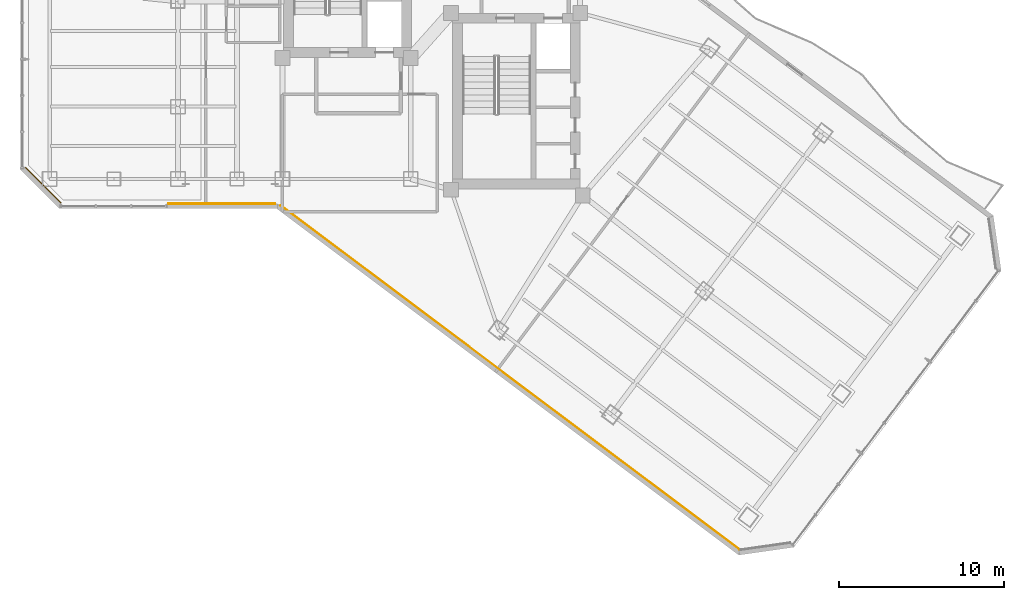
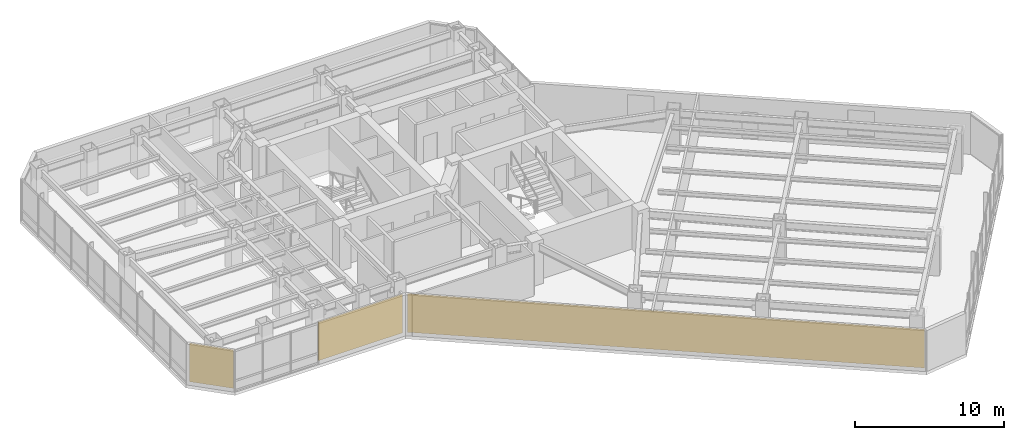
# One storey, part 25 of 29: 3 coverings.
"""IFC4 building model written with IfcOpenShell, lengths in metres."""

import ifcopenshell
import ifcopenshell.guid

model = None  # the IFC model being written
_history = None  # IfcOwnerHistory: only IFC2X3 demands one
_inside = {}  # id of a spatial element -> (the spatial element, [elements in it])
_under = {}  # id of a project, library or spatial element -> (it, [spatial elements below it])
_declared = {}  # id of a project -> (the project, [libraries it declares])
_typed = {}  # id of a type object -> (the type object, [elements of that type])
_made_of = {}  # id of a material, layer set ... -> (it, [elements and type objects made of it])


def new_model(schema):
    """Start an empty IFC model of exactly this schema.

    Asked for "IFC4X3", IfcOpenShell would pick the latest addendum, in which some entities
    have other attributes; the version numbers below select the first issue.
    IFC2X3 requires an IfcOwnerHistory on every rooted entity: one is made here for all.
    """
    global model, _history
    if schema == "IFC4X3":
        model = ifcopenshell.file(schema_version=(4, 3, 0, 0))
    else:
        model = ifcopenshell.file(schema=schema)
    _inside.clear()
    _under.clear()
    _declared.clear()
    _typed.clear()
    _made_of.clear()
    _history = None
    if model.schema == "IFC2X3":
        org = make("IfcOrganization", Name="unknown")
        user = make(
            "IfcPersonAndOrganization",
            ThePerson=make("IfcPerson", FamilyName="unknown"),
            TheOrganization=org,
        )
        app = make(
            "IfcApplication",
            ApplicationDeveloper=org,
            Version="unknown",
            ApplicationFullName="unknown",
            ApplicationIdentifier="unknown",
        )
        _history = make(
            "IfcOwnerHistory",
            OwningUser=user,
            OwningApplication=app,
            ChangeAction="ADDED",
            CreationDate=0,
        )
    return model


def make(cls, **values):
    """One entity of the class cls with the attributes given. An attribute that is None is left unset."""
    return model.create_entity(
        cls, **{name: value for name, value in values.items() if value is not None}
    )


def rooted(cls, **values):
    """An entity with a GlobalId (a new one), such as an element, a storey or a relation."""
    return make(cls, GlobalId=ifcopenshell.guid.new(), OwnerHistory=_history, **values)


def si_unit(unit_type, name, prefix=None):
    """IfcSIUnit, for example si_unit("LENGTHUNIT", "METRE", prefix="MILLI")."""
    return make("IfcSIUnit", UnitType=unit_type, Prefix=prefix, Name=name)


def assignment(units):
    """IfcUnitAssignment: the units of a project."""
    return None if units is None else make("IfcUnitAssignment", Units=units)


def point(xyz):
    """IfcCartesianPoint."""
    return None if xyz is None else make("IfcCartesianPoint", Coordinates=xyz)


def direction(xyz):
    """IfcDirection."""
    return None if xyz is None else make("IfcDirection", DirectionRatios=xyz)


def frame(location, z_axis=None, x_axis=None):
    """IfcAxis2Placement3D, a coordinate frame: its origin and axes. An axis left out is left unset."""
    return make(
        "IfcAxis2Placement3D",
        Location=point(location),
        Axis=direction(z_axis),
        RefDirection=direction(x_axis),
    )


def frame_2d(location, x_axis=None):
    """IfcAxis2Placement2D, a coordinate frame in the plane: its origin and x axis."""
    return make(
        "IfcAxis2Placement2D", Location=point(location), RefDirection=direction(x_axis)
    )


def origin():
    """The frame at (0, 0, 0) with its axes left unset."""
    return frame((0.0, 0.0, 0.0))


def origin_2d():
    """The frame at (0, 0) in the plane with its x axis left unset."""
    return frame_2d((0.0, 0.0))


def place(relative_to, where):
    """IfcLocalPlacement: puts the frame where relative to a parent placement (None: the world)."""
    return make(
        "IfcLocalPlacement", PlacementRelTo=relative_to, RelativePlacement=where
    )


def context(
    kind, dimensions, precision=None, world=None, true_north=None, identifier=None
):
    """IfcGeometricRepresentationContext, for example the 3D "Model" context."""
    return make(
        "IfcGeometricRepresentationContext",
        ContextIdentifier=identifier,
        ContextType=kind,
        CoordinateSpaceDimension=dimensions,
        Precision=precision,
        WorldCoordinateSystem=world,
        TrueNorth=true_north,
    )


def subcontext(parent, identifier, kind, view, scale=None):
    """IfcGeometricRepresentationSubContext, for example "Body" below "Model"."""
    return make(
        "IfcGeometricRepresentationSubContext",
        ContextIdentifier=identifier,
        ContextType=kind,
        ParentContext=parent,
        TargetScale=scale,
        TargetView=view,
    )


def project(units=None, contexts=None):
    """IfcProject with its units and contexts."""
    return rooted(
        "IfcProject",
        Name="project",
        RepresentationContexts=contexts,
        UnitsInContext=assignment(units),
    )


def spatial(cls, under=None, at=None, **own):
    """A site, building, storey or space (cls), placed at a placement, below another one or the project."""
    s = rooted(cls, ObjectPlacement=at, **own)
    if under is not None:
        _under.setdefault(under.id(), (under, []))[1].append(s)
    return s


def profile(cls, at=None, kind="AREA", **sizes):
    """A parametric profile (cls). Its sizes go by their IFC names, for example OverallWidth=200.0."""
    return make(cls, ProfileType=kind, Position=at, **sizes)


def rectangle(**sizes):
    """IfcRectangleProfileDef."""
    return profile("IfcRectangleProfileDef", **sizes)


def extrude(swept, where, along, depth):
    """IfcExtrudedAreaSolid: the profile swept, set in the frame where, extruded along a direction by depth."""
    return make(
        "IfcExtrudedAreaSolid",
        SweptArea=swept,
        Position=where,
        ExtrudedDirection=direction(along),
        Depth=depth,
    )


def shape(context_of_items, identifier, shape_type, items):
    """IfcShapeRepresentation: the items that make up one representation, for example the "Body"."""
    return make(
        "IfcShapeRepresentation",
        ContextOfItems=context_of_items,
        RepresentationIdentifier=identifier,
        RepresentationType=shape_type,
        Items=items,
    )


def material(Name=None, Category=None):
    """IfcMaterial."""
    return make("IfcMaterial", Name=Name, Category=Category)


def layer(
    of_material, thickness, ventilated=None, Name=None, Category=None, Priority=None
):
    """IfcMaterialLayer: one layer of a wall or slab, of a material (None: an air gap)."""
    return make(
        "IfcMaterialLayer",
        Material=of_material,
        LayerThickness=thickness,
        IsVentilated=ventilated,
        Name=Name,
        Category=Category,
        Priority=Priority,
    )


def layer_set(layers, Name=None):
    """IfcMaterialLayerSet."""
    return make("IfcMaterialLayerSet", MaterialLayers=layers, LayerSetName=Name)


def made_of(thing, what):
    """Note that an element or type object is made of a material, layer set ...; save() writes the relation."""
    if what is not None:
        _made_of.setdefault(what.id(), (what, []))[1].append(thing)
    return thing


def type_object(cls, material=None, **own):
    """A type object (cls), such as IfcWallType, which elements share."""
    return made_of(rooted(cls, **own), material)


def element(
    cls,
    number,
    at=None,
    inside=None,
    cuts=None,
    type_object=None,
    material=None,
    context=None,
    identifier="Body",
    shape_type=None,
    held_by="IfcProductDefinitionShape",
    body=None,
    shapes=None,
    **own,
):
    """One element of the class cls, such as IfcWall. Its Tag is "e" and its number.

    at: its placement. inside: the storey or other place that contains it. cuts: it is an
    opening in that element (IfcRelVoidsElement). A single representation is given by context,
    identifier, shape_type and body (its items); several are given by shapes. held_by: the class
    of the entity that holds the representations. save() writes the other relations.
    """
    e = rooted(cls, Tag="e%d" % number, ObjectPlacement=at, **own)
    if body is not None:
        shapes = [shape(context, identifier, shape_type, body)]
    if shapes is not None:
        e.Representation = make(held_by, Representations=shapes)
    if inside is not None:
        _inside.setdefault(inside.id(), (inside, []))[1].append(e)
    if cuts is not None:
        rooted(
            "IfcRelVoidsElement", RelatingBuildingElement=cuts, RelatedOpeningElement=e
        )
    if type_object is not None:
        _typed.setdefault(type_object.id(), (type_object, []))[1].append(e)
    return made_of(e, material)


def aggregate(whole, parts):
    """IfcRelAggregates: a whole, such as a stair, and the parts it consists of."""
    return rooted("IfcRelAggregates", RelatingObject=whole, RelatedObjects=parts)


def save(model, path):
    """Write the relations noted so far, then the file.

    IfcRelAggregates (storeys below a building ...), IfcRelContainedInSpatialStructure (elements
    in a storey), IfcRelDefinesByType, IfcRelAssociatesMaterial and IfcRelDeclares: one each for
    every whole, place, type object, material and project.
    """
    for whole, parts in _under.values():
        aggregate(whole, parts)
    for where, things in _inside.values():
        rooted(
            "IfcRelContainedInSpatialStructure",
            RelatedElements=things,
            RelatingStructure=where,
        )
    for kind, things in _typed.values():
        rooted("IfcRelDefinesByType", RelatedObjects=things, RelatingType=kind)
    for what, things in _made_of.values():
        rooted("IfcRelAssociatesMaterial", RelatedObjects=things, RelatingMaterial=what)
    for by, libraries in _declared.values():
        rooted("IfcRelDeclares", RelatingContext=by, RelatedDefinitions=libraries)
    model.write(path)


model = new_model("IFC4")

# Units and contexts
model_context = context("Model", 3, precision=1e-05, world=origin(), true_north=direction((0.0, 1.0)))
body_context = subcontext(model_context, "Body", "Model", "MODEL_VIEW")
ifc_project = project(units=[si_unit("LENGTHUNIT", "METRE"), si_unit("AREAUNIT", "SQUARE_METRE"), si_unit("VOLUMEUNIT", "CUBIC_METRE"), si_unit("PLANEANGLEUNIT", "RADIAN"), si_unit("MASSUNIT", "GRAM", prefix="KILO")], contexts=[model_context])

# Site, building, storey
site_placement = place(None, origin())
site = spatial("IfcSite", under=ifc_project, at=site_placement, CompositionType="ELEMENT")
building_placement = place(site_placement, origin())
building = spatial("IfcBuilding", under=site, at=building_placement, Name="Hatsunagi Terrace Concourse", CompositionType="ELEMENT")
storey_placement = place(building_placement, frame((0.0, 0.0, 126.449951171875)))
storey = spatial("IfcBuildingStorey", under=building, at=storey_placement, Name="L33", CompositionType="ELEMENT", Elevation=126.449951171875)

# Coverings
ifc_material = material(Name="Unglazed Warm Terracotta Rainscreen Tile", Category="masonry")
ifc_layer = layer(ifc_material, 0.044921875)
ifc_layer_set = layer_set([ifc_layer], Name="TerracottaRainscreenCladding_45")
covering_type = type_object("IfcCoveringType", Name="TerracottaRainscreenCladding_45", PredefinedType="CLADDING", material=ifc_layer_set)
covering_1_placement = place(storey_placement, frame((39.3798828125, 13.14306640625, 0.10009765625), z_axis=(0.0, 0.0, 1.0), x_axis=(-0.800003116929, 0.599995844072, 0.0)))
element("IfcCovering", 1, at=covering_1_placement, inside=storey, type_object=covering_type, Name="Terracotta Rainscreen Cladding L33-05", PredefinedType="CLADDING", context=body_context, shape_type="SweptSolid", body=[
    extrude(rectangle(XDim=34.84912109375, YDim=0.044921875, at=origin_2d()), origin(), (0.0, 0.0, 1.0), 3.139892578125),
])
covering_2_placement = place(storey_placement, frame((21.873046875, 23.701904296875, 0.10009765625), z_axis=(0.0, 0.0, 1.0), x_axis=(-1.0, 0.0, 0.0)))
element("IfcCovering", 2, at=covering_2_placement, inside=storey, type_object=covering_type, Name="Terracotta Rainscreen Cladding L33-06", PredefinedType="CLADDING", context=body_context, shape_type="SweptSolid", body=[
    extrude(rectangle(XDim=6.507080078125, YDim=0.044921875, at=origin_2d()), origin(), (0.0, 0.0, 1.0), 3.139892578125),
])
covering_3_placement = place(storey_placement, frame((11.013916015625, 24.81396484375, 0.10009765625), z_axis=(0.0, 0.0, 1.0), x_axis=(-0.707106781187, 0.707106781187, 0.0)))
element("IfcCovering", 3, at=covering_3_placement, inside=storey, type_object=covering_type, Name="Terracotta Rainscreen Cladding L33-08", PredefinedType="CLADDING", context=body_context, shape_type="SweptSolid", body=[
    extrude(rectangle(XDim=3.0380859375, YDim=0.044921875, at=origin_2d()), origin(), (0.0, 0.0, 1.0), 3.139892578125),
])

save(model, "model.ifc")
